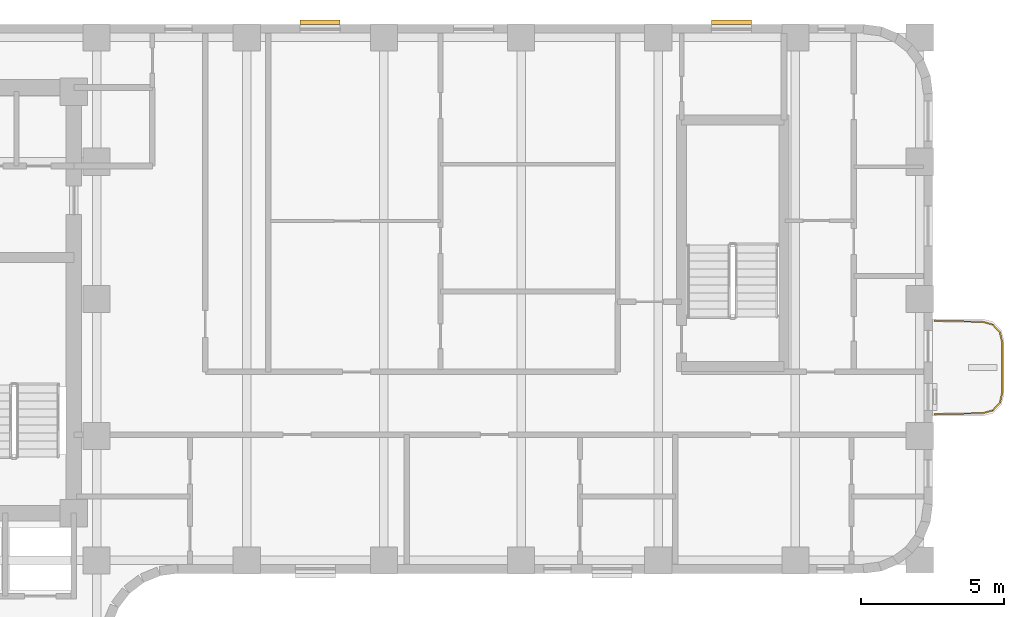
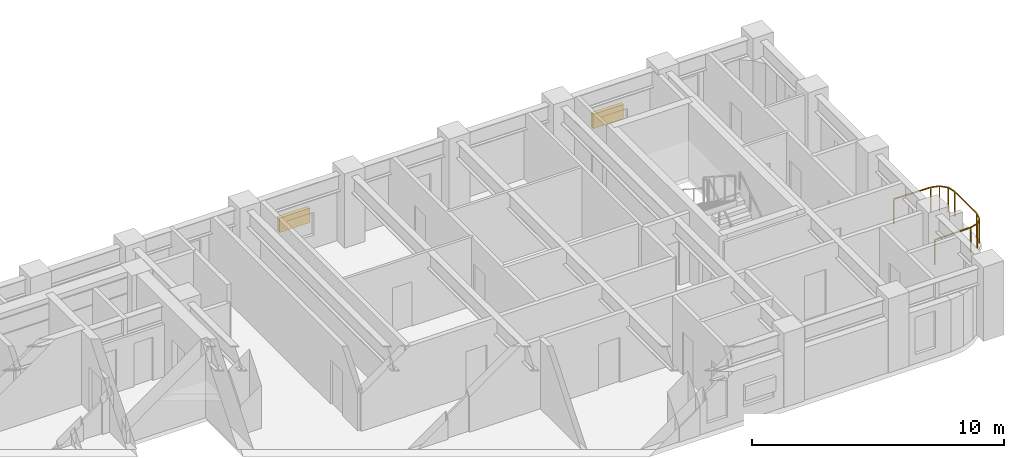
# One storey, part 10 of 10: 2 shading devices, 1 railing.
"""IFC4 building model written with IfcOpenShell, lengths in metres."""

from ifc_helpers import new_model, si_unit, direction, frame, origin, origin_2d, place, context, subcontext, project, spatial, rectangle, extrude, material, type_object, element, save


model = new_model("IFC4")

# Units and contexts
model_context = context("Model", 3, precision=1e-05, world=origin(), true_north=direction((0.0, 1.0)))
body_context = subcontext(model_context, "Body", "Model", "MODEL_VIEW")
ifc_project = project(units=[si_unit("LENGTHUNIT", "METRE"), si_unit("AREAUNIT", "SQUARE_METRE"), si_unit("VOLUMEUNIT", "CUBIC_METRE"), si_unit("PLANEANGLEUNIT", "RADIAN"), si_unit("MASSUNIT", "GRAM", prefix="KILO")], contexts=[model_context])

# Site, building, storey
site_placement = place(None, origin())
site = spatial("IfcSite", under=ifc_project, at=site_placement, CompositionType="ELEMENT")
building_placement = place(site_placement, origin())
building = spatial("IfcBuilding", under=site, at=building_placement, Name="Orvandelia Arch Residences", CompositionType="ELEMENT")
storey_placement = place(building_placement, frame((0.0, 0.0, 121.60009765625)))
storey = spatial("IfcBuildingStorey", under=building, at=storey_placement, Name="L31", CompositionType="ELEMENT", Elevation=121.60009765625)

# Railing
ifc_material_1 = material(Name="Marine-Grade Stainless Steel 316", Category="steel")
railing_type = type_object("IfcRailingType", Name="GRD-BAL-1200", PredefinedType="BALUSTRADE", material=ifc_material_1)
railing_placement = place(storey_placement, frame((52.871826171875, 34.36962890625, 0.0)))
element("IfcRailing", 1, at=railing_placement, inside=storey, type_object=railing_type, Name="Safety Balustrade Guard GRD-L31-BAL-L31-E1-1", PredefinedType="BALUSTRADE", context=body_context, shape_type="SweptSolid", body=[
    extrude(rectangle(XDim=0.048095703125, YDim=0.048095703125, at=origin_2d()), frame((0.0, 0.0, 1.19580078125), z_axis=(0.999837384468, 0.018033430643, 0.0), x_axis=(-0.018033430643, 0.999837384468, 0.0)), (0.0, 0.0, 1.0), 1.6787109375),
    extrude(rectangle(XDim=0.048095703125, YDim=0.048095703125, at=origin_2d()), frame((1.678466796875, 0.0302734375, 1.19580078125), z_axis=(0.96348920644, 0.267747173792, 0.0), x_axis=(-0.267747173792, 0.96348920644, 0.0)), (0.0, 0.0, 1.0), 0.36572265625),
    extrude(rectangle(XDim=0.048095703125, YDim=0.048095703125, at=origin_2d()), frame((2.03076171875, 0.128173828125, 1.19580078125), z_axis=(0.687947031175, 0.725760898848, 0.0), x_axis=(-0.725760898848, 0.687947031175, 0.0)), (0.0, 0.0, 1.0), 0.367919921875),
    extrude(rectangle(XDim=0.048095703125, YDim=0.048095703125, at=origin_2d()), frame((2.283935546875, 0.395263671875, 1.19580078125), z_axis=(0.221225034864, 0.975222786828, 0.0), x_axis=(-0.975222786828, 0.221225034864, 0.0)), (0.0, 0.0, 1.0), 0.373046875),
    extrude(rectangle(XDim=0.048095703125, YDim=0.048095703125, at=origin_2d()), frame((2.366455078125, 0.759033203125, 1.19580078125), z_axis=(0.0, 1.0, 0.0), x_axis=(-1.0, 0.0, 0.0)), (0.0, 0.0, 1.0), 1.74267578125),
    extrude(rectangle(XDim=0.048095703125, YDim=0.048095703125, at=origin_2d()), frame((2.366455078125, 2.501708984375, 1.19580078125), z_axis=(-0.221225034864, 0.975222786828, 0.0), x_axis=(-0.975222786828, -0.221225034864, 0.0)), (0.0, 0.0, 1.0), 0.373046875),
    extrude(rectangle(XDim=0.048095703125, YDim=0.048095703125, at=origin_2d()), frame((2.283935546875, 2.865478515625, 1.19580078125), z_axis=(-0.687947031175, 0.725760898848, 0.0), x_axis=(-0.725760898848, -0.687947031175, 0.0)), (0.0, 0.0, 1.0), 0.367919921875),
    extrude(rectangle(XDim=0.048095703125, YDim=0.048095703125, at=origin_2d()), frame((2.03076171875, 3.132568359375, 1.19580078125), z_axis=(-0.96348920644, 0.267747173792, 0.0), x_axis=(-0.267747173792, -0.96348920644, 0.0)), (0.0, 0.0, 1.0), 0.36572265625),
    extrude(rectangle(XDim=0.048095703125, YDim=0.048095703125, at=origin_2d()), frame((1.678466796875, 3.23046875, 1.19580078125), z_axis=(-0.999837384468, 0.018033430643, 0.0), x_axis=(-0.018033430643, -0.999837384468, 0.0)), (0.0, 0.0, 1.0), 1.6787109375),
    extrude(rectangle(XDim=0.0419921875, YDim=0.0419921875, at=origin_2d()), origin(), (0.0, 0.0, 1.0), 1.171875),
    extrude(rectangle(XDim=0.0419921875, YDim=0.0419921875, at=origin_2d()), frame((1.678466796875, 0.0302734375, 0.0)), (0.0, 0.0, 1.0), 1.171875),
    extrude(rectangle(XDim=0.0419921875, YDim=0.0419921875, at=origin_2d()), frame((2.03076171875, 0.128173828125, 0.0)), (0.0, 0.0, 1.0), 1.171875),
    extrude(rectangle(XDim=0.0419921875, YDim=0.0419921875, at=origin_2d()), frame((2.283935546875, 0.395263671875, 0.0)), (0.0, 0.0, 1.0), 1.171875),
    extrude(rectangle(XDim=0.0419921875, YDim=0.0419921875, at=origin_2d()), frame((2.366455078125, 0.759033203125, 0.0)), (0.0, 0.0, 1.0), 1.171875),
    extrude(rectangle(XDim=0.0419921875, YDim=0.0419921875, at=origin_2d()), frame((2.366455078125, 2.501708984375, 0.0)), (0.0, 0.0, 1.0), 1.171875),
    extrude(rectangle(XDim=0.0419921875, YDim=0.0419921875, at=origin_2d()), frame((2.283935546875, 2.865478515625, 0.0)), (0.0, 0.0, 1.0), 1.171875),
    extrude(rectangle(XDim=0.0419921875, YDim=0.0419921875, at=origin_2d()), frame((2.03076171875, 3.132568359375, 0.0)), (0.0, 0.0, 1.0), 1.171875),
    extrude(rectangle(XDim=0.0419921875, YDim=0.0419921875, at=origin_2d()), frame((1.678466796875, 3.23046875, 0.0)), (0.0, 0.0, 1.0), 1.171875),
    extrude(rectangle(XDim=0.0419921875, YDim=0.0419921875, at=origin_2d()), frame((0.0, 3.2607421875, 0.0)), (0.0, 0.0, 1.0), 1.171875),
])

# Shading devices
ifc_material_2 = material(Name="Anodised Champagne-Bronze Extruded Aluminium", Category="aluminium")
shading_device_type = type_object("IfcShadingDeviceType", Name="SHD-JALOUSIE-SCREEN", PredefinedType="JALOUSIE", material=ifc_material_2)
for number, where, z_axis, x_axis, name in (
    (2, (45.762451171875, 48.080078125, 1.0498046875), (0.0, 0.0, 1.0), (1.0, 0.0, 0.0), "Bronze Jalousie Sun-Shade L31-001"),
    (3, (31.367431640625, 48.080078125, 1.0498046875), (0.0, 0.0, 1.0), (1.0, 0.0, 0.0), "Bronze Jalousie Sun-Shade L31-002"),
):
    element("IfcShadingDevice", number, at=place(storey_placement, frame(where, z_axis=z_axis, x_axis=x_axis)), inside=storey, type_object=shading_device_type, Name=name, PredefinedType="JALOUSIE", context=body_context, shape_type="SweptSolid", body=[
        extrude(rectangle(XDim=1.39990234375, YDim=0.159912109375, at=origin_2d()), origin(), (0.0, 0.0, 1.0), 0.699951171875),
    ])

save(model, "model.ifc")
